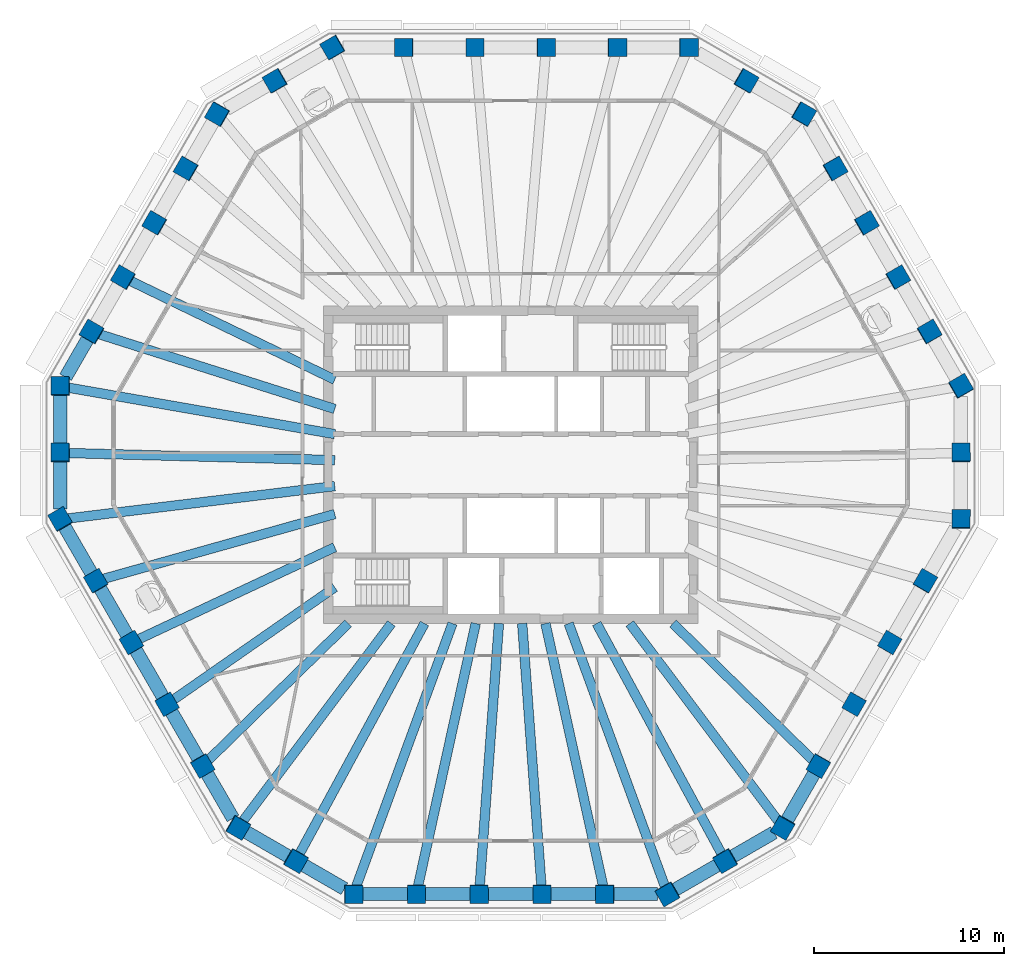
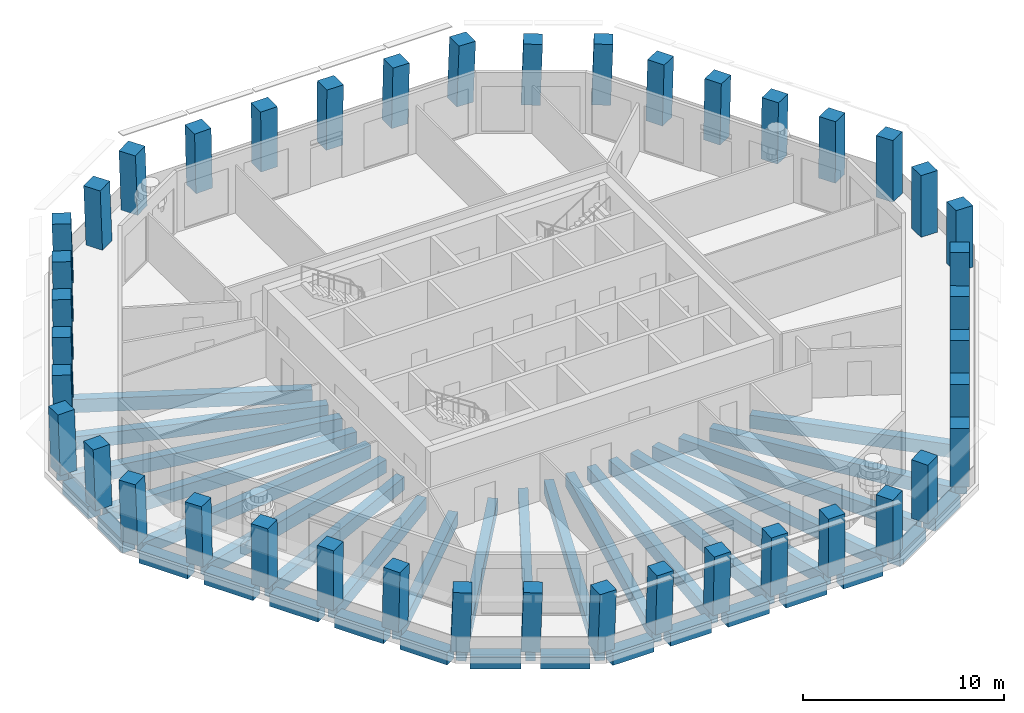
# One storey, part 1 of 11: 42 columns, 38 beams.
"""IFC4 building model written with IfcOpenShell, lengths in metres."""

from ifc_helpers import new_model, si_unit, direction, frame, origin, origin_2d, place, context, subcontext, project, spatial, rectangle, extrude, material, material_profile, profile_set, type_object, element, save


model = new_model("IFC4")

# Units and contexts
model_context = context("Model", 3, precision=1e-05, world=origin(), true_north=direction((0.0, 1.0)))
body_context = subcontext(model_context, "Body", "Model", "MODEL_VIEW")
ifc_project = project(units=[si_unit("LENGTHUNIT", "METRE"), si_unit("AREAUNIT", "SQUARE_METRE"), si_unit("VOLUMEUNIT", "CUBIC_METRE"), si_unit("PLANEANGLEUNIT", "RADIAN"), si_unit("MASSUNIT", "GRAM", prefix="KILO")], contexts=[model_context])

# Site, building, storey
site_placement = place(None, origin())
site = spatial("IfcSite", under=ifc_project, at=site_placement, CompositionType="ELEMENT")
building_placement = place(site_placement, origin())
building = spatial("IfcBuilding", under=site, at=building_placement, Name="Frailejon Research Tower", CompositionType="ELEMENT")
storey_placement = place(building_placement, frame((0.0, 0.0, 283.0)))
storey = spatial("IfcBuildingStorey", under=building, at=storey_placement, Name="L62", CompositionType="ELEMENT", Elevation=283.0)

# Columns
ifc_material_1 = material(Name="Concrete C50/60", Category="concrete")
ifc_material_profile_1 = material_profile(ifc_material_1, rectangle(XDim=0.949951171875, YDim=0.949951171875, at=origin_2d()), Name="Column 950")
ifc_profile_set_1 = profile_set([ifc_material_profile_1], Name="Concrete C50/60")
column_type = type_object("IfcColumnType", Name="Column 950", PredefinedType="COLUMN", material=ifc_profile_set_1)
for number, where, z_axis, x_axis, name in (
    (1, (23.686767578125, -2.873291015625, 0.0), (0.018115203871, 0.031350666477, 0.999344272561), (-0.000374749584, 0.999508428335, -0.031349023127), "Column C01"),
    (2, (23.686767578125, 0.62841796875, 0.0), (0.018115165867, 0.031417446337, 0.999342176049), (-0.001297375745, 0.999506085267, -0.031399081689), "Column C02"),
    (3, (23.686767578125, 4.130615234375, 0.0), (0.018115203871, 0.031350666477, 0.999344272561), (-0.50024246066, 0.865696385282, -0.018090026613), "Column C03"),
):
    element("IfcColumn", number, at=place(storey_placement, frame(where, z_axis=z_axis, x_axis=x_axis)), inside=storey, type_object=column_type, Name=name, PredefinedType="COLUMN", context=body_context, shape_type="SweptSolid", body=[
        extrude(rectangle(XDim=0.949951171875, YDim=0.949951171875, at=origin_2d()), origin(), (0.0, 0.0, 1.0), 3.65234375),
    ])
column_1_placement = place(storey_placement, frame((22.033447265625, 6.993896484375, 0.0), z_axis=(0.021727128018, 0.025136615799, 0.999447888814), x_axis=(-0.500981292203, 0.865389796007, -0.010874089855)))
element("IfcColumn", 4, at=column_1_placement, inside=storey, type_object=column_type, Name="Column C04", PredefinedType="COLUMN", context=body_context, shape_type="SweptSolid", body=[
    extrude(rectangle(XDim=0.949951171875, YDim=0.949951171875, at=origin_2d()), origin(), (0.0, 0.0, 1.0), 3.65185546875),
])
for number, where, z_axis, x_axis, name in (
    (5, (20.380126953125, 9.857421875, 0.0), (0.025405336763, 0.018853434124, 0.999499433159), (-0.500083894321, 0.865969380989, -0.003623510742), "Column C05"),
    (6, (18.72705078125, 12.720947265625, 0.0), (0.029015583354, 0.012568962375, 0.99949993352), (-0.499848966802, 0.86610502362, 0.003619177736), "Column C06"),
):
    element("IfcColumn", number, at=place(storey_placement, frame(where, z_axis=z_axis, x_axis=x_axis)), inside=storey, type_object=column_type, Name=name, PredefinedType="COLUMN", context=body_context, shape_type="SweptSolid", body=[
        extrude(rectangle(XDim=0.949951171875, YDim=0.949951171875, at=origin_2d()), origin(), (0.0, 0.0, 1.0), 3.651611328125),
    ])
column_2_placement = place(storey_placement, frame((17.07373046875, 15.58447265625, 0.0), z_axis=(0.032624119908, 0.006284154245, 0.999447935715), x_axis=(-0.499397268022, 0.866305114166, 0.010854393717)))
element("IfcColumn", 7, at=column_2_placement, inside=storey, type_object=column_type, Name="Column C07", PredefinedType="COLUMN", context=body_context, shape_type="SweptSolid", body=[
    extrude(rectangle(XDim=0.949951171875, YDim=0.949951171875, at=origin_2d()), origin(), (0.0, 0.0, 1.0), 3.65185546875),
])
for number, where, z_axis, x_axis, name in (
    (8, (15.42041015625, 18.447998046875, 0.0), (0.036297136169, 0.0, 0.99934104184), (-0.865312543657, 0.500246354177, 0.031429077673), "Column C08"),
    (9, (12.3876953125, 20.198974609375, 0.0), (0.036230378439, 0.0, 0.99934346432), (-0.865314641241, 0.500246354177, 0.031371273281), "Column C09"),
    (10, (9.35498046875, 21.949951171875, 0.0), (0.036230378439, 0.0, 0.99934346432), (-0.99934346432, 0.0, 0.036230378439), "Column C10"),
):
    element("IfcColumn", number, at=place(storey_placement, frame(where, z_axis=z_axis, x_axis=x_axis)), inside=storey, type_object=column_type, Name=name, PredefinedType="COLUMN", context=body_context, shape_type="SweptSolid", body=[
        extrude(rectangle(XDim=0.949951171875, YDim=0.949951171875, at=origin_2d()), origin(), (0.0, 0.0, 1.0), 3.65234375),
    ])
column_3_placement = place(storey_placement, frame((5.61279296875, 21.949951171875, 0.0), z_axis=(0.021800837506, 0.0, 0.999762333499), x_axis=(-0.999762333499, 0.0, 0.021800837506)))
element("IfcColumn", 11, at=column_3_placement, inside=storey, type_object=column_type, Name="Column C11", PredefinedType="COLUMN", context=body_context, shape_type="SweptSolid", body=[
    extrude(rectangle(XDim=0.949951171875, YDim=0.949951171875, at=origin_2d()), origin(), (0.0, 0.0, 1.0), 3.65087890625),
])
for number, where, z_axis, x_axis, name in (
    (12, (1.87109375, 21.949951171875, 0.0), (0.007223891772, 0.0, 0.999973907353), (-0.999973907353, 0.0, 0.007223891772), "Column C12"),
    (13, (-1.87109375, 21.949951171875, 0.0), (-0.007223891772, 0.0, 0.999973907353), (-0.999973907353, 0.0, -0.007223891772), "Column C13"),
):
    element("IfcColumn", number, at=place(storey_placement, frame(where, z_axis=z_axis, x_axis=x_axis)), inside=storey, type_object=column_type, Name=name, PredefinedType="COLUMN", context=body_context, shape_type="SweptSolid", body=[
        extrude(rectangle(XDim=0.949951171875, YDim=0.949951171875, at=origin_2d()), origin(), (0.0, 0.0, 1.0), 3.64990234375),
    ])
column_4_placement = place(storey_placement, frame((-5.61279296875, 21.949951171875, 0.0), z_axis=(-0.021800837506, 0.0, 0.999762333499), x_axis=(-0.999762333499, 0.0, -0.021800837506)))
element("IfcColumn", 14, at=column_4_placement, inside=storey, type_object=column_type, Name="Column C14", PredefinedType="COLUMN", context=body_context, shape_type="SweptSolid", body=[
    extrude(rectangle(XDim=0.949951171875, YDim=0.949951171875, at=origin_2d()), origin(), (0.0, 0.0, 1.0), 3.65087890625),
])
for number, where, z_axis, x_axis, name in (
    (15, (-9.35498046875, 21.949951171875, 0.0), (-0.036230378439, 0.0, 0.99934346432), (-0.865314641241, -0.500246354177, -0.031371273281), "Column C15"),
    (16, (-12.3876953125, 20.198974609375, 0.0), (-0.036230378439, 0.0, 0.99934346432), (-0.865314641241, -0.500246354177, -0.031371273281), "Column C16"),
    (17, (-15.42041015625, 18.447998046875, 0.0), (-0.036297136169, 0.0, 0.99934104184), (-0.49942428864, -0.866167613071, -0.018139624664), "Column C17"),
):
    element("IfcColumn", number, at=place(storey_placement, frame(where, z_axis=z_axis, x_axis=x_axis)), inside=storey, type_object=column_type, Name=name, PredefinedType="COLUMN", context=body_context, shape_type="SweptSolid", body=[
        extrude(rectangle(XDim=0.949951171875, YDim=0.949951171875, at=origin_2d()), origin(), (0.0, 0.0, 1.0), 3.65234375),
    ])
column_5_placement = place(storey_placement, frame((-17.07373046875, 15.58447265625, 0.0), z_axis=(-0.032624119908, 0.006284154245, 0.999447935715), x_axis=(-0.499397268022, -0.866305114166, -0.010854393717)))
element("IfcColumn", 18, at=column_5_placement, inside=storey, type_object=column_type, Name="Column C18", PredefinedType="COLUMN", context=body_context, shape_type="SweptSolid", body=[
    extrude(rectangle(XDim=0.949951171875, YDim=0.949951171875, at=origin_2d()), origin(), (0.0, 0.0, 1.0), 3.65185546875),
])
for number, where, z_axis, x_axis, name in (
    (19, (-18.72705078125, 12.720947265625, 0.0), (-0.029015583354, 0.012568962375, 0.99949993352), (-0.499848966802, -0.86610502362, -0.003619177736), "Column C19"),
    (20, (-20.380126953125, 9.857421875, 0.0), (-0.025405336763, 0.018853434124, 0.999499433159), (-0.500083894321, -0.865969380989, 0.003623510742), "Column C20"),
):
    element("IfcColumn", number, at=place(storey_placement, frame(where, z_axis=z_axis, x_axis=x_axis)), inside=storey, type_object=column_type, Name=name, PredefinedType="COLUMN", context=body_context, shape_type="SweptSolid", body=[
        extrude(rectangle(XDim=0.949951171875, YDim=0.949951171875, at=origin_2d()), origin(), (0.0, 0.0, 1.0), 3.651611328125),
    ])
column_6_placement = place(storey_placement, frame((-22.033447265625, 6.993896484375, 0.0), z_axis=(-0.021727128018, 0.025136615799, 0.999447888814), x_axis=(-0.500981292203, -0.865389796007, 0.010874089855)))
element("IfcColumn", 21, at=column_6_placement, inside=storey, type_object=column_type, Name="Column C21", PredefinedType="COLUMN", context=body_context, shape_type="SweptSolid", body=[
    extrude(rectangle(XDim=0.949951171875, YDim=0.949951171875, at=origin_2d()), origin(), (0.0, 0.0, 1.0), 3.65185546875),
])
for number, where, z_axis, x_axis, name in (
    (22, (-23.686767578125, 4.130615234375, 0.0), (-0.018115203871, 0.031350666477, 0.999344272561), (-0.000374749584, -0.999508428335, 0.031349023127), "Column C22"),
    (23, (-23.686767578125, 0.62841796875, 0.0), (-0.018115165867, 0.031417446337, 0.999342176049), (-0.001297375745, -0.999506085267, 0.031399081689), "Column C23"),
    (24, (-23.686767578125, -2.873291015625, 0.0), (-0.018115203871, 0.031350666477, 0.999344272561), (0.499839742394, -0.865360738107, 0.036208077349), "Column C24"),
):
    element("IfcColumn", number, at=place(storey_placement, frame(where, z_axis=z_axis, x_axis=x_axis)), inside=storey, type_object=column_type, Name=name, PredefinedType="COLUMN", context=body_context, shape_type="SweptSolid", body=[
        extrude(rectangle(XDim=0.949951171875, YDim=0.949951171875, at=origin_2d()), origin(), (0.0, 0.0, 1.0), 3.65234375),
    ])
column_7_placement = place(storey_placement, frame((-21.815673828125, -6.114013671875, 0.0), z_axis=(-0.010900423214, 0.018858400897, 0.999762742599), x_axis=(0.500226175498, -0.86562076849, 0.02178206845)))
element("IfcColumn", 25, at=column_7_placement, inside=storey, type_object=column_type, Name="Column C25", PredefinedType="COLUMN", context=body_context, shape_type="SweptSolid", body=[
    extrude(rectangle(XDim=0.949951171875, YDim=0.949951171875, at=origin_2d()), origin(), (0.0, 0.0, 1.0), 3.65087890625),
])
for number, where, z_axis, x_axis, name in (
    (26, (-19.944580078125, -9.354736328125, 0.0), (-0.003678832152, 0.006287458586, 0.999973466677), (0.503695370374, -0.863850628317, 0.007284629059), "Column C26"),
    (27, (-18.07373046875, -12.59521484375, 0.0), (0.003611943648, -0.006354345307, 0.999973287723), (0.495427452012, -0.86861856765, -0.007309153601), "Column C27"),
):
    element("IfcColumn", number, at=place(storey_placement, frame(where, z_axis=z_axis, x_axis=x_axis)), inside=storey, type_object=column_type, Name=name, PredefinedType="COLUMN", context=body_context, shape_type="SweptSolid", body=[
        extrude(rectangle(XDim=0.949951171875, YDim=0.949951171875, at=origin_2d()), origin(), (0.0, 0.0, 1.0), 3.64990234375),
    ])
column_8_placement = place(storey_placement, frame((-16.202880859375, -15.8359375, 0.0), z_axis=(0.010900423214, -0.018858400897, 0.999762742599), x_axis=(0.500226175498, -0.86562076849, -0.02178206845)))
element("IfcColumn", 28, at=column_8_placement, inside=storey, type_object=column_type, Name="Column C28", PredefinedType="COLUMN", context=body_context, shape_type="SweptSolid", body=[
    extrude(rectangle(XDim=0.949951171875, YDim=0.949951171875, at=origin_2d()), origin(), (0.0, 0.0, 1.0), 3.65087890625),
])
for number, where, z_axis, x_axis, name in (
    (29, (-14.331787109375, -19.07666015625, 0.0), (0.018115165867, -0.031417446337, 0.999342176049), (0.865519692755, -0.499889378995, -0.031404939456), "Column C29"),
    (30, (-11.299072265625, -20.827392578125, 0.0), (0.018115165867, -0.031417446337, 0.999342176049), (0.865818316477, -0.499372659284, -0.031394107935), "Column C30"),
    (31, (-8.26611328125, -22.57861328125, 0.0), (0.018115203871, -0.031350666477, 0.999344272561), (0.999835593387, 0.001358696526, -0.018081486096), "Column C31"),
):
    element("IfcColumn", number, at=place(storey_placement, frame(where, z_axis=z_axis, x_axis=x_axis)), inside=storey, type_object=column_type, Name=name, PredefinedType="COLUMN", context=body_context, shape_type="SweptSolid", body=[
        extrude(rectangle(XDim=0.949951171875, YDim=0.949951171875, at=origin_2d()), origin(), (0.0, 0.0, 1.0), 3.65234375),
    ])
column_9_placement = place(storey_placement, frame((-4.959716796875, -22.57861328125, 0.0), z_axis=(0.010897001829, -0.031353950048, 0.999448940751), x_axis=(0.999939746215, 0.001667493052, -0.010850041765)))
element("IfcColumn", 32, at=column_9_placement, inside=storey, type_object=column_type, Name="Column C32", PredefinedType="COLUMN", context=body_context, shape_type="SweptSolid", body=[
    extrude(rectangle(XDim=0.949951171875, YDim=0.949951171875, at=origin_2d()), origin(), (0.0, 0.0, 1.0), 3.65185546875),
])
for number, where, z_axis, x_axis, name in (
    (33, (-1.6533203125, -22.57861328125, 0.0), (0.003677095924, -0.031355599788, 0.999501528427), (0.999991454128, 0.00200399466, -0.003616030534), "Column C33"),
    (34, (1.6533203125, -22.57861328125, 0.0), (-0.003677095924, -0.031355599788, 0.999501528427), (0.999991454128, -0.00200399466, 0.003616030534), "Column C34"),
):
    element("IfcColumn", number, at=place(storey_placement, frame(where, z_axis=z_axis, x_axis=x_axis)), inside=storey, type_object=column_type, Name=name, PredefinedType="COLUMN", context=body_context, shape_type="SweptSolid", body=[
        extrude(rectangle(XDim=0.949951171875, YDim=0.949951171875, at=origin_2d()), origin(), (0.0, 0.0, 1.0), 3.651611328125),
    ])
column_10_placement = place(storey_placement, frame((4.959716796875, -22.57861328125, 0.0), z_axis=(-0.010897001829, -0.031353950048, 0.999448940751), x_axis=(0.999939746215, -0.001667493052, 0.010850041765)))
element("IfcColumn", 35, at=column_10_placement, inside=storey, type_object=column_type, Name="Column C35", PredefinedType="COLUMN", context=body_context, shape_type="SweptSolid", body=[
    extrude(rectangle(XDim=0.949951171875, YDim=0.949951171875, at=origin_2d()), origin(), (0.0, 0.0, 1.0), 3.65185546875),
])
for number, where, z_axis, x_axis, name in (
    (36, (8.26611328125, -22.57861328125, 0.0), (-0.018115203871, -0.031350666477, 0.999344272561), (0.866279364282, 0.498575584131, 0.031344057303), "Column C36"),
    (37, (11.299072265625, -20.827392578125, 0.0), (-0.018115165867, -0.031417446337, 0.999342176049), (0.865818316477, 0.499372659284, 0.031394107935), "Column C37"),
    (38, (14.331787109375, -19.07666015625, 0.0), (-0.018115165867, -0.031417446337, 0.999342176049), (0.499040470376, 0.865819492615, 0.036265894916), "Column C38"),
):
    element("IfcColumn", number, at=place(storey_placement, frame(where, z_axis=z_axis, x_axis=x_axis)), inside=storey, type_object=column_type, Name=name, PredefinedType="COLUMN", context=body_context, shape_type="SweptSolid", body=[
        extrude(rectangle(XDim=0.949951171875, YDim=0.949951171875, at=origin_2d()), origin(), (0.0, 0.0, 1.0), 3.65234375),
    ])
column_11_placement = place(storey_placement, frame((16.202880859375, -15.8359375, 0.0), z_axis=(-0.010900423214, -0.018858400897, 0.999762742599), x_axis=(0.500226175498, 0.86562076849, 0.02178206845)))
element("IfcColumn", 39, at=column_11_placement, inside=storey, type_object=column_type, Name="Column C39", PredefinedType="COLUMN", context=body_context, shape_type="SweptSolid", body=[
    extrude(rectangle(XDim=0.949951171875, YDim=0.949951171875, at=origin_2d()), origin(), (0.0, 0.0, 1.0), 3.65087890625),
])
for number, where, z_axis, x_axis, name in (
    (40, (18.07373046875, -12.59521484375, 0.0), (-0.003611943648, -0.006354345307, 0.999973287723), (0.495427452012, 0.86861856765, 0.007309153601), "Column C40"),
    (41, (19.944580078125, -9.354736328125, 0.0), (0.003678832152, 0.006287458586, 0.999973466677), (0.503695370374, 0.863850628317, -0.007284629059), "Column C41"),
):
    element("IfcColumn", number, at=place(storey_placement, frame(where, z_axis=z_axis, x_axis=x_axis)), inside=storey, type_object=column_type, Name=name, PredefinedType="COLUMN", context=body_context, shape_type="SweptSolid", body=[
        extrude(rectangle(XDim=0.949951171875, YDim=0.949951171875, at=origin_2d()), origin(), (0.0, 0.0, 1.0), 3.64990234375),
    ])
column_12_placement = place(storey_placement, frame((21.815673828125, -6.114013671875, 0.0), z_axis=(0.010900423214, 0.018858400897, 0.999762742599), x_axis=(0.500226175498, 0.86562076849, -0.02178206845)))
element("IfcColumn", 42, at=column_12_placement, inside=storey, type_object=column_type, Name="Column C42", PredefinedType="COLUMN", context=body_context, shape_type="SweptSolid", body=[
    extrude(rectangle(XDim=0.949951171875, YDim=0.949951171875, at=origin_2d()), origin(), (0.0, 0.0, 1.0), 3.65087890625),
])

# Beams
ifc_material_2 = material(Name="Concrete C60/75", Category="concrete")
ifc_material_profile_2 = material_profile(ifc_material_2, rectangle(XDim=0.5, YDim=0.800048828125, at=origin_2d()), Name="Girder 500x800")
ifc_profile_set_2 = profile_set([ifc_material_profile_2], Name="Concrete C60/75")
beam_type_1 = type_object("IfcBeamType", Name="Girder 500x800", PredefinedType="BEAM", material=ifc_profile_set_2)
beam_1_placement = place(storey_placement, frame((-20.08642578125, 9.71533203125, -0.699951171875), z_axis=(0.900231576571, -0.435411424454, 0.0), x_axis=(0.435411424454, 0.900231576571, 0.0)))
element("IfcBeam", 43, at=beam_1_placement, inside=storey, type_object=beam_type_1, Name="Girder 500x800", PredefinedType="BEAM", context=body_context, shape_type="SweptSolid", body=[
    extrude(rectangle(XDim=0.5, YDim=0.800048828125, at=origin_2d()), origin(), (0.0, 0.0, 1.0), 12.037353515625),
])
beam_2_placement = place(storey_placement, frame((-21.712890625, 6.89208984375, -0.699951171875), z_axis=(0.953138881796, -0.302533092418, 0.0), x_axis=(0.302533092418, 0.953138881796, 0.0)))
element("IfcBeam", 44, at=beam_2_placement, inside=storey, type_object=beam_type_1, Name="Girder 500x800", PredefinedType="BEAM", context=body_context, shape_type="SweptSolid", body=[
    extrude(rectangle(XDim=0.5, YDim=0.800048828125, at=origin_2d()), origin(), (0.0, 0.0, 1.0), 13.07568359375),
])
beam_3_placement = place(storey_placement, frame((-23.359619140625, 4.073486328125, -0.699951171875), z_axis=(0.985133836322, -0.171788604199, 0.0), x_axis=(0.171788604199, 0.985133836322, 0.0)))
element("IfcBeam", 45, at=beam_3_placement, inside=storey, type_object=beam_type_1, Name="Girder 500x800", PredefinedType="BEAM", context=body_context, shape_type="SweptSolid", body=[
    extrude(rectangle(XDim=0.5, YDim=0.800048828125, at=origin_2d()), origin(), (0.0, 0.0, 1.0), 14.322509765625),
])
beam_4_placement = place(storey_placement, frame((-23.361572265625, 0.619873046875, -0.699951171875), z_axis=(0.99964801782, -0.026529991857, 0.0), x_axis=(0.026529991857, 0.99964801782, 0.0)))
element("IfcBeam", 46, at=beam_4_placement, inside=storey, type_object=beam_type_1, Name="Girder 500x800", PredefinedType="BEAM", context=body_context, shape_type="SweptSolid", body=[
    extrude(rectangle(XDim=0.5, YDim=0.800048828125, at=origin_2d()), origin(), (0.0, 0.0, 1.0), 14.116455078125),
])
beam_5_placement = place(storey_placement, frame((-23.322998046875, -2.829345703125, -0.699951171875), z_axis=(0.99272149555, 0.120432687722, 0.0), x_axis=(-0.120432687722, 0.99272149555, 0.0)))
element("IfcBeam", 47, at=beam_5_placement, inside=storey, type_object=beam_type_1, Name="Girder 500x800", PredefinedType="BEAM", context=body_context, shape_type="SweptSolid", body=[
    extrude(rectangle(XDim=0.5, YDim=0.800048828125, at=origin_2d()), origin(), (0.0, 0.0, 1.0), 14.17626953125),
])
beam_6_placement = place(storey_placement, frame((-21.488037109375, -6.022216796875, -0.699951171875), z_axis=(0.962896957439, 0.269869319031, 0.0), x_axis=(-0.269869319031, 0.962896957439, 0.0)))
element("IfcBeam", 48, at=beam_6_placement, inside=storey, type_object=beam_type_1, Name="Girder 500x800", PredefinedType="BEAM", context=body_context, shape_type="SweptSolid", body=[
    extrude(rectangle(XDim=0.5, YDim=0.800048828125, at=origin_2d()), origin(), (0.0, 0.0, 1.0), 12.709716796875),
])
beam_7_placement = place(storey_placement, frame((-19.64892578125, -9.216064453125, -0.699951171875), z_axis=(0.905352204933, 0.424661494632, 0.0), x_axis=(-0.424661494632, 0.905352204933, 0.0)))
element("IfcBeam", 49, at=beam_7_placement, inside=storey, type_object=beam_type_1, Name="Girder 500x800", PredefinedType="BEAM", context=body_context, shape_type="SweptSolid", body=[
    extrude(rectangle(XDim=0.5, YDim=0.800048828125, at=origin_2d()), origin(), (0.0, 0.0, 1.0), 11.486083984375),
])
beam_8_placement = place(storey_placement, frame((-17.8056640625, -12.408447265625, -0.699951171875), z_axis=(0.820437767817, 0.571735838599, 0.0), x_axis=(-0.571735838599, 0.820437767817, 0.0)))
element("IfcBeam", 50, at=beam_8_placement, inside=storey, type_object=beam_type_1, Name="Girder 500x800", PredefinedType="BEAM", context=body_context, shape_type="SweptSolid", body=[
    extrude(rectangle(XDim=0.5, YDim=0.800048828125, at=origin_2d()), origin(), (0.0, 0.0, 1.0), 10.42822265625),
])
beam_9_placement = place(storey_placement, frame((-15.95947265625, -15.59814453125, -0.699951171875), z_axis=(0.71515938497, 0.698961411015, 0.0), x_axis=(-0.698961411015, 0.71515938497, 0.0)))
element("IfcBeam", 51, at=beam_9_placement, inside=storey, type_object=beam_type_1, Name="Girder 500x800", PredefinedType="BEAM", context=body_context, shape_type="SweptSolid", body=[
    extrude(rectangle(XDim=0.5, YDim=0.800048828125, at=origin_2d()), origin(), (0.0, 0.0, 1.0), 10.36962890625),
])
beam_10_placement = place(storey_placement, frame((-14.134521484375, -18.81396484375, -0.699951171875), z_axis=(0.600656416094, 0.799507266887, 0.0), x_axis=(-0.799507266887, 0.600656416094, 0.0)))
element("IfcBeam", 52, at=beam_10_placement, inside=storey, type_object=beam_type_1, Name="Girder 500x800", PredefinedType="BEAM", context=body_context, shape_type="SweptSolid", body=[
    extrude(rectangle(XDim=0.5, YDim=0.800048828125, at=origin_2d()), origin(), (0.0, 0.0, 1.0), 13.087890625),
])
beam_11_placement = place(storey_placement, frame((-11.143798828125, -20.541748046875, -0.699951171875), z_axis=(0.476851789575, 0.87898371474, 0.0), x_axis=(-0.87898371474, 0.476851789575, 0.0)))
element("IfcBeam", 53, at=beam_11_placement, inside=storey, type_object=beam_type_1, Name="Girder 500x800", PredefinedType="BEAM", context=body_context, shape_type="SweptSolid", body=[
    extrude(rectangle(XDim=0.5, YDim=0.800048828125, at=origin_2d()), origin(), (0.0, 0.0, 1.0), 13.8701171875),
])
beam_12_placement = place(storey_placement, frame((-8.143798828125, -22.244384765625, -0.699951171875), z_axis=(0.343798388197, 0.939043485826, 0.0), x_axis=(-0.939043485826, 0.343798388197, 0.0)))
element("IfcBeam", 54, at=beam_12_placement, inside=storey, type_object=beam_type_1, Name="Girder 500x800", PredefinedType="BEAM", context=body_context, shape_type="SweptSolid", body=[
    extrude(rectangle(XDim=0.5, YDim=0.800048828125, at=origin_2d()), origin(), (0.0, 0.0, 1.0), 14.796142578125),
])
beam_13_placement = place(storey_placement, frame((-4.887451171875, -22.25, -0.699951171875), z_axis=(0.214543015577, 0.976714540931, 0.0), x_axis=(-0.976714540931, 0.214543015577, 0.0)))
element("IfcBeam", 55, at=beam_13_placement, inside=storey, type_object=beam_type_1, Name="Girder 500x800", PredefinedType="BEAM", context=body_context, shape_type="SweptSolid", body=[
    extrude(rectangle(XDim=0.5, YDim=0.800048828125, at=origin_2d()), origin(), (0.0, 0.0, 1.0), 14.231201171875),
])
for number, where, z_axis, x_axis, name in (
    (56, (-1.62939453125, -22.253173828125, -0.699951171875), (0.073030447566, 0.997329711644, 0.0), (-0.997329711644, 0.073030447566, 0.0), "Girder 500x800"),
    (57, (1.62939453125, -22.253173828125, -0.699951171875), (-0.073030447566, 0.997329711644, 0.0), (-0.997329711644, -0.073030447566, 0.0), "Girder 500x800"),
):
    element("IfcBeam", number, at=place(storey_placement, frame(where, z_axis=z_axis, x_axis=x_axis)), inside=storey, type_object=beam_type_1, Name=name, PredefinedType="BEAM", context=body_context, shape_type="SweptSolid", body=[
        extrude(rectangle(XDim=0.5, YDim=0.800048828125, at=origin_2d()), origin(), (0.0, 0.0, 1.0), 13.940185546875),
    ])
beam_14_placement = place(storey_placement, frame((4.887451171875, -22.25, -0.699951171875), z_axis=(-0.214543015577, 0.976714540931, 0.0), x_axis=(-0.976714540931, -0.214543015577, 0.0)))
element("IfcBeam", 58, at=beam_14_placement, inside=storey, type_object=beam_type_1, Name="Girder 500x800", PredefinedType="BEAM", context=body_context, shape_type="SweptSolid", body=[
    extrude(rectangle(XDim=0.5, YDim=0.800048828125, at=origin_2d()), origin(), (0.0, 0.0, 1.0), 14.231201171875),
])
beam_15_placement = place(storey_placement, frame((8.152099609375, -22.2666015625, -0.699951171875), z_axis=(-0.343808316969, 0.939039850689, 0.0), x_axis=(-0.939039850689, -0.343808316969, 0.0)))
element("IfcBeam", 59, at=beam_15_placement, inside=storey, type_object=beam_type_1, Name="Girder 500x800", PredefinedType="BEAM", context=body_context, shape_type="SweptSolid", body=[
    extrude(rectangle(XDim=0.5, YDim=0.800048828125, at=origin_2d()), origin(), (0.0, 0.0, 1.0), 14.81982421875),
])
beam_16_placement = place(storey_placement, frame((11.143798828125, -20.541748046875, -0.699951171875), z_axis=(-0.476851789575, 0.87898371474, 0.0), x_axis=(-0.87898371474, -0.476851789575, 0.0)))
element("IfcBeam", 60, at=beam_16_placement, inside=storey, type_object=beam_type_1, Name="Girder 500x800", PredefinedType="BEAM", context=body_context, shape_type="SweptSolid", body=[
    extrude(rectangle(XDim=0.5, YDim=0.800048828125, at=origin_2d()), origin(), (0.0, 0.0, 1.0), 13.8701171875),
])
beam_17_placement = place(storey_placement, frame((14.11181640625, -18.78369140625, -0.699951171875), z_axis=(-0.600658318943, 0.799505837305, 0.0), x_axis=(-0.799505837305, -0.600658318943, 0.0)))
element("IfcBeam", 61, at=beam_17_placement, inside=storey, type_object=beam_type_1, Name="Girder 500x800", PredefinedType="BEAM", context=body_context, shape_type="SweptSolid", body=[
    extrude(rectangle(XDim=0.5, YDim=0.800048828125, at=origin_2d()), origin(), (0.0, 0.0, 1.0), 13.050048828125),
])
beam_18_placement = place(storey_placement, frame((15.95947265625, -15.59814453125, -0.699951171875), z_axis=(-0.71515938497, 0.698961411015, 0.0), x_axis=(-0.698961411015, -0.71515938497, 0.0)))
element("IfcBeam", 62, at=beam_18_placement, inside=storey, type_object=beam_type_1, Name="Girder 500x800", PredefinedType="BEAM", context=body_context, shape_type="SweptSolid", body=[
    extrude(rectangle(XDim=0.5, YDim=0.800048828125, at=origin_2d()), origin(), (0.0, 0.0, 1.0), 10.36962890625),
])
ifc_material_3 = material(Name="Concrete C60/75", Category="concrete")
ifc_material_profile_3 = material_profile(ifc_material_3, rectangle(XDim=0.699951171875, YDim=0.75, at=origin_2d()), Name="Spandrel 700x750")
ifc_profile_set_3 = profile_set([ifc_material_profile_3], Name="Concrete C60/75")
beam_type_2 = type_object("IfcBeamType", Name="Spandrel 700x750", PredefinedType="BEAM", material=ifc_profile_set_3)
beam_19_placement = place(storey_placement, frame((-22.27099609375, 6.58251953125, -0.72509765625), z_axis=(-0.499969321363, -0.866043115379, 0.0), x_axis=(0.866043115379, -0.499969321363, 0.0)))
element("IfcBeam", 63, at=beam_19_placement, inside=storey, type_object=beam_type_2, Name="Spandrel 700x750", PredefinedType="BEAM", context=body_context, shape_type="SweptSolid", body=[
    extrude(rectangle(XDim=0.699951171875, YDim=0.75, at=origin_2d()), origin(), (0.0, 0.0, 1.0), 2.282958984375),
])
beam_20_placement = place(storey_placement, frame((-23.686767578125, 3.655517578125, -0.72509765625), z_axis=(0.0, -1.0, 0.0), x_axis=(1.0, 0.0, 0.0)))
element("IfcBeam", 64, at=beam_20_placement, inside=storey, type_object=beam_type_2, Name="Spandrel 700x750", PredefinedType="BEAM", context=body_context, shape_type="SweptSolid", body=[
    extrude(rectangle(XDim=0.699951171875, YDim=0.75, at=origin_2d()), origin(), (0.0, 0.0, 1.0), 2.552001953125),
])
beam_21_placement = place(storey_placement, frame((-23.686767578125, 0.153564453125, -0.72509765625), z_axis=(0.0, -1.0, 0.0), x_axis=(1.0, 0.0, 0.0)))
element("IfcBeam", 65, at=beam_21_placement, inside=storey, type_object=beam_type_2, Name="Spandrel 700x750", PredefinedType="BEAM", context=body_context, shape_type="SweptSolid", body=[
    extrude(rectangle(XDim=0.699951171875, YDim=0.75, at=origin_2d()), origin(), (0.0, 0.0, 1.0), 2.478515625),
])
beam_22_placement = place(storey_placement, frame((-23.44921875, -3.284912109375, -0.72509765625), z_axis=(0.500032811619, -0.866006459158, 0.0), x_axis=(0.866006459158, 0.500032811619, 0.0)))
element("IfcBeam", 66, at=beam_22_placement, inside=storey, type_object=beam_type_2, Name="Spandrel 700x750", PredefinedType="BEAM", context=body_context, shape_type="SweptSolid", body=[
    extrude(rectangle(XDim=0.699951171875, YDim=0.75, at=origin_2d()), origin(), (0.0, 0.0, 1.0), 2.791748046875),
])
beam_23_placement = place(storey_placement, frame((-21.578125, -6.525390625, -0.72509765625), z_axis=(0.499994945868, -0.866028321769, 0.0), x_axis=(0.866028321769, 0.499994945868, 0.0)))
element("IfcBeam", 67, at=beam_23_placement, inside=storey, type_object=beam_type_2, Name="Spandrel 700x750", PredefinedType="BEAM", context=body_context, shape_type="SweptSolid", body=[
    extrude(rectangle(XDim=0.699951171875, YDim=0.75, at=origin_2d()), origin(), (0.0, 0.0, 1.0), 2.7919921875),
])
beam_24_placement = place(storey_placement, frame((-19.707275390625, -9.76611328125, -0.72509765625), z_axis=(0.500032811619, -0.866006459158, 0.0), x_axis=(0.866006459158, 0.500032811619, 0.0)))
element("IfcBeam", 68, at=beam_24_placement, inside=storey, type_object=beam_type_2, Name="Spandrel 700x750", PredefinedType="BEAM", context=body_context, shape_type="SweptSolid", body=[
    extrude(rectangle(XDim=0.699951171875, YDim=0.75, at=origin_2d()), origin(), (0.0, 0.0, 1.0), 2.791748046875),
])
beam_25_placement = place(storey_placement, frame((-17.836181640625, -13.006591796875, -0.72509765625), z_axis=(0.499994945868, -0.866028321769, 0.0), x_axis=(0.866028321769, 0.499994945868, 0.0)))
element("IfcBeam", 69, at=beam_25_placement, inside=storey, type_object=beam_type_2, Name="Spandrel 700x750", PredefinedType="BEAM", context=body_context, shape_type="SweptSolid", body=[
    extrude(rectangle(XDim=0.699951171875, YDim=0.75, at=origin_2d()), origin(), (0.0, 0.0, 1.0), 2.7919921875),
])
beam_26_placement = place(storey_placement, frame((-15.96533203125, -16.247314453125, -0.72509765625), z_axis=(0.500041177004, -0.866001628925, 0.0), x_axis=(0.866001628925, 0.500041177004, 0.0)))
element("IfcBeam", 70, at=beam_26_placement, inside=storey, type_object=beam_type_2, Name="Spandrel 700x750", PredefinedType="BEAM", context=body_context, shape_type="SweptSolid", body=[
    extrude(rectangle(XDim=0.699951171875, YDim=0.75, at=origin_2d()), origin(), (0.0, 0.0, 1.0), 2.718505859375),
])
beam_27_placement = place(storey_placement, frame((-13.92041015625, -19.314208984375, -0.72509765625), z_axis=(0.866032638483, -0.499987468925, 0.0), x_axis=(0.499987468925, 0.866032638483, 0.0)))
element("IfcBeam", 71, at=beam_27_placement, inside=storey, type_object=beam_type_2, Name="Spandrel 700x750", PredefinedType="BEAM", context=body_context, shape_type="SweptSolid", body=[
    extrude(rectangle(XDim=0.699951171875, YDim=0.75, at=origin_2d()), origin(), (0.0, 0.0, 1.0), 2.5517578125),
])
beam_28_placement = place(storey_placement, frame((-10.8876953125, -21.06494140625, -0.72509765625), z_axis=(0.866028115054, -0.499995303914, 0.0), x_axis=(0.499995303914, 0.866028115054, 0.0)))
element("IfcBeam", 72, at=beam_28_placement, inside=storey, type_object=beam_type_2, Name="Spandrel 700x750", PredefinedType="BEAM", context=body_context, shape_type="SweptSolid", body=[
    extrude(rectangle(XDim=0.699951171875, YDim=0.75, at=origin_2d()), origin(), (0.0, 0.0, 1.0), 2.478515625),
])
for number, where, z_axis, x_axis, name in (
    (73, (-7.791259765625, -22.57861328125, -0.72509765625), (1.0, 0.0, 0.0), (0.0, 1.0, 0.0), "Spandrel 700x750"),
    (74, (-4.484619140625, -22.57861328125, -0.72509765625), (1.0, 0.0, 0.0), (0.0, 1.0, 0.0), "Spandrel 700x750"),
    (75, (-1.17822265625, -22.57861328125, -0.72509765625), (1.0, 0.0, 0.0), (0.0, 1.0, 0.0), "Spandrel 700x750"),
    (76, (2.128173828125, -22.57861328125, -0.72509765625), (1.0, 0.0, 0.0), (0.0, 1.0, 0.0), "Spandrel 700x750"),
):
    element("IfcBeam", number, at=place(storey_placement, frame(where, z_axis=z_axis, x_axis=x_axis)), inside=storey, type_object=beam_type_2, Name=name, PredefinedType="BEAM", context=body_context, shape_type="SweptSolid", body=[
        extrude(rectangle(XDim=0.699951171875, YDim=0.75, at=origin_2d()), origin(), (0.0, 0.0, 1.0), 2.3564453125),
    ])
beam_29_placement = place(storey_placement, frame((5.434814453125, -22.57861328125, -0.72509765625), z_axis=(1.0, 0.0, 0.0), x_axis=(0.0, 1.0, 0.0)))
element("IfcBeam", 77, at=beam_29_placement, inside=storey, type_object=beam_type_2, Name="Spandrel 700x750", PredefinedType="BEAM", context=body_context, shape_type="SweptSolid", body=[
    extrude(rectangle(XDim=0.699951171875, YDim=0.75, at=origin_2d()), origin(), (0.0, 0.0, 1.0), 2.282958984375),
])
beam_30_placement = place(storey_placement, frame((8.677490234375, -22.341064453125, -0.72509765625), z_axis=(0.866015130346, 0.500017793695, 0.0), x_axis=(-0.500017793695, 0.866015130346, 0.0)))
element("IfcBeam", 78, at=beam_30_placement, inside=storey, type_object=beam_type_2, Name="Spandrel 700x750", PredefinedType="BEAM", context=body_context, shape_type="SweptSolid", body=[
    extrude(rectangle(XDim=0.699951171875, YDim=0.75, at=origin_2d()), origin(), (0.0, 0.0, 1.0), 2.55224609375),
])
beam_31_placement = place(storey_placement, frame((11.71044921875, -20.590087890625, -0.72509765625), z_axis=(0.866003486907, 0.500037959224, 0.0), x_axis=(-0.500037959224, 0.866003486907, 0.0)))
element("IfcBeam", 79, at=beam_31_placement, inside=storey, type_object=beam_type_2, Name="Spandrel 700x750", PredefinedType="BEAM", context=body_context, shape_type="SweptSolid", body=[
    extrude(rectangle(XDim=0.699951171875, YDim=0.75, at=origin_2d()), origin(), (0.0, 0.0, 1.0), 2.478271484375),
])
beam_32_placement = place(storey_placement, frame((14.5693359375, -18.665283203125, -0.72509765625), z_axis=(0.499994945868, 0.866028321769, 0.0), x_axis=(-0.866028321769, 0.499994945868, 0.0)))
element("IfcBeam", 80, at=beam_32_placement, inside=storey, type_object=beam_type_2, Name="Spandrel 700x750", PredefinedType="BEAM", context=body_context, shape_type="SweptSolid", body=[
    extrude(rectangle(XDim=0.699951171875, YDim=0.75, at=origin_2d()), origin(), (0.0, 0.0, 1.0), 2.7919921875),
])

save(model, "model.ifc")
